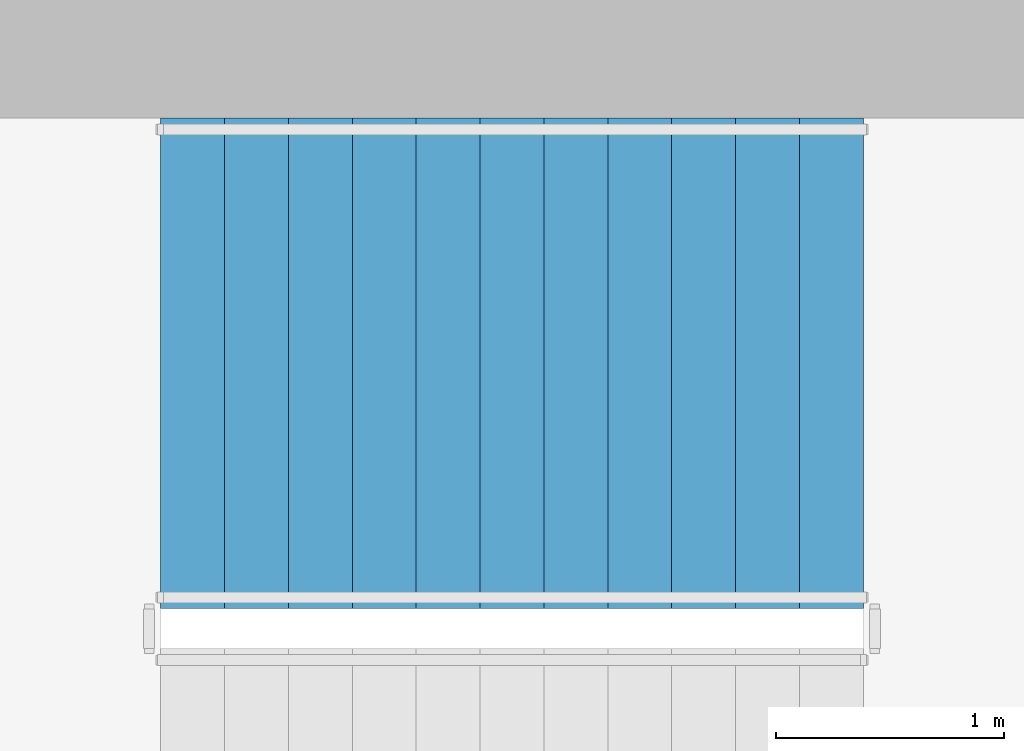
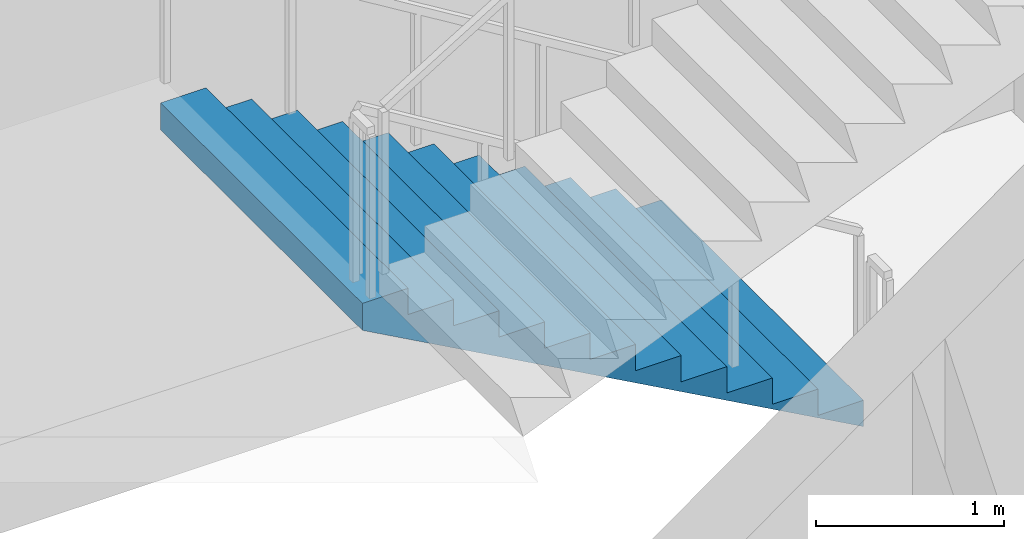
# One storey, part 9 of 14: 1 stair flight, 1 element without a shape of its own.
"""IFC4 building model written with IfcOpenShell, lengths in metres."""

from ifc_helpers import new_model, si_unit, direction, frame, origin, place, context, subcontext, project, spatial, triangles, material, type_object, element, aggregate, save


model = new_model("IFC4")

# Units and contexts
model_context = context("Model", 3, precision=1e-05, world=origin(), true_north=direction((0.0, 1.0)))
body_context = subcontext(model_context, "Body", "Model", "MODEL_VIEW")
ifc_project = project(units=[si_unit("LENGTHUNIT", "METRE"), si_unit("AREAUNIT", "SQUARE_METRE"), si_unit("VOLUMEUNIT", "CUBIC_METRE"), si_unit("PLANEANGLEUNIT", "RADIAN"), si_unit("MASSUNIT", "GRAM", prefix="KILO")], contexts=[model_context])

# Site, building, storey
site_placement = place(None, origin())
site = spatial("IfcSite", under=ifc_project, at=site_placement, CompositionType="ELEMENT")
building_placement = place(site_placement, origin())
building = spatial("IfcBuilding", under=site, at=building_placement, Name="Cypress Arch Tower", CompositionType="ELEMENT")
storey_placement = place(building_placement, frame((0.0, 0.0, 268.0)))
storey = spatial("IfcBuildingStorey", under=building, at=storey_placement, Name="L60", CompositionType="ELEMENT", Elevation=268.0)

# Stair, stair flight
ifc_material_1 = material(Name="Concrete C40/50", Category="concrete")
stair_type = type_object("IfcStairType", Name="Exit stair ES1708-215", PredefinedType="HALF_TURN_STAIR", material=ifc_material_1)
stair_placement = place(storey_placement, origin())
stair = element("IfcStair", 1, at=stair_placement, inside=storey, type_object=stair_type, Name="L60 Exit stair B", PredefinedType="HALF_TURN_STAIR")
ifc_material_2 = material(Name="Concrete C40/50", Category="concrete")
stair_flight_type = type_object("IfcStairFlightType", Name="Exit stair flight ES1708-215", PredefinedType="STRAIGHT", material=ifc_material_2)
stair_flight_placement = place(storey_placement, frame((-22.27490234375, 13.72509765625, 0.0), z_axis=(0.0, 0.0, 1.0), x_axis=(-1.0, 0.0, 0.0)))
stair_flight = element("IfcStairFlight", 2, at=stair_flight_placement, type_object=stair_flight_type, Name="B flight 1", NumberOfRisers=12, NumberOfTreads=11, PredefinedType="STRAIGHT", RiserHeight=0.170833333, TreadLength=0.28, context=body_context, shape_type="Tessellation", body=[
    triangles([(0.0, -1.074951171875, 0.0), (0.000244140625, -1.074951171875, 0.01904296875), (0.000244140625, -1.074951171875, 0.0380859375), (0.00048828125, -1.074951171875, 0.056884765625), (0.00048828125, -1.074951171875, 0.075927734375), (0.00048828125, -1.074951171875, 0.094970703125), (0.00048828125, -1.074951171875, 0.114013671875), (0.000244140625, -1.074951171875, 0.1328125), (0.000244140625, -1.074951171875, 0.15185546875), (0.0, -1.074951171875, 0.1708984375), (0.280029296875, -1.074951171875, 0.1708984375), (0.280029296875, -1.074951171875, 0.341552734375), (0.56005859375, -1.074951171875, 0.341552734375), (0.56005859375, -1.074951171875, 0.512451171875), (0.840087890625, -1.074951171875, 0.512451171875), (0.840087890625, -1.074951171875, 0.683349609375), (1.1201171875, -1.074951171875, 0.683349609375), (1.1201171875, -1.074951171875, 0.854248046875), (1.39990234375, -1.074951171875, 0.854248046875), (1.39990234375, -1.074951171875, 1.02490234375), (1.679931640625, -1.074951171875, 1.02490234375), (1.679931640625, -1.074951171875, 1.19580078125), (1.9599609375, -1.074951171875, 1.19580078125), (1.9599609375, -1.074951171875, 1.36669921875), (2.239990234375, -1.074951171875, 1.36669921875), (2.239990234375, -1.074951171875, 1.53759765625), (2.52001953125, -1.074951171875, 1.53759765625), (2.52001953125, -1.074951171875, 1.708251953125), (2.800048828125, -1.074951171875, 1.708251953125), (2.800048828125, -1.074951171875, 1.879150390625), (3.080078125, -1.074951171875, 1.879150390625), (3.079833984375, -1.074951171875, 1.859619140625), (3.079833984375, -1.074951171875, 1.840087890625), (3.07958984375, -1.074951171875, 1.820556640625), (3.07958984375, -1.074951171875, 1.801025390625), (3.07958984375, -1.074951171875, 1.78173828125), (3.07958984375, -1.074951171875, 1.76220703125), (3.079833984375, -1.074951171875, 1.74267578125), (3.079833984375, -1.074951171875, 1.72314453125), (3.080078125, -1.074951171875, 1.70361328125), (3.080078125, 1.074951171875, 1.70361328125), (3.079833984375, 1.074951171875, 1.72314453125), (3.079833984375, 1.074951171875, 1.74267578125), (3.07958984375, 1.074951171875, 1.76220703125), (3.07958984375, 1.074951171875, 1.78173828125), (3.07958984375, 1.074951171875, 1.801025390625), (3.07958984375, 1.074951171875, 1.820556640625), (3.079833984375, 1.074951171875, 1.840087890625), (3.079833984375, 1.074951171875, 1.859619140625), (3.080078125, 1.074951171875, 1.879150390625), (2.800048828125, 1.074951171875, 1.879150390625), (2.800048828125, 1.074951171875, 1.708251953125), (2.52001953125, 1.074951171875, 1.708251953125), (2.52001953125, 1.074951171875, 1.53759765625), (2.239990234375, 1.074951171875, 1.53759765625), (2.239990234375, 1.074951171875, 1.36669921875), (1.9599609375, 1.074951171875, 1.36669921875), (1.9599609375, 1.074951171875, 1.19580078125), (1.679931640625, 1.074951171875, 1.19580078125), (1.679931640625, 1.074951171875, 1.02490234375), (1.39990234375, 1.074951171875, 1.02490234375), (1.39990234375, 1.074951171875, 0.854248046875), (1.1201171875, 1.074951171875, 0.854248046875), (1.1201171875, 1.074951171875, 0.683349609375), (0.840087890625, 1.074951171875, 0.683349609375), (0.840087890625, 1.074951171875, 0.512451171875), (0.56005859375, 1.074951171875, 0.512451171875), (0.56005859375, 1.074951171875, 0.341552734375), (0.280029296875, 1.074951171875, 0.341552734375), (0.280029296875, 1.074951171875, 0.1708984375), (0.0, 1.074951171875, 0.1708984375), (0.000244140625, 1.074951171875, 0.15185546875), (0.000244140625, 1.074951171875, 0.1328125), (0.00048828125, 1.074951171875, 0.114013671875), (0.00048828125, 1.074951171875, 0.094970703125), (0.00048828125, 1.074951171875, 0.075927734375), (0.00048828125, 1.074951171875, 0.056884765625), (0.000244140625, 1.074951171875, 0.0380859375), (0.000244140625, 1.074951171875, 0.01904296875), (0.0, 1.074951171875, 0.0)], [[40, 39, 30], [39, 38, 30], [38, 37, 30], [37, 36, 30], [36, 35, 30], [35, 34, 30], [34, 33, 30], [33, 32, 30], [32, 31, 30], [19, 18, 17], [27, 26, 25], [25, 24, 23], [23, 22, 21], [17, 16, 15], [15, 14, 13], [10, 9, 11], [9, 8, 11], [8, 7, 11], [7, 6, 11], [6, 5, 11], [5, 4, 11], [4, 3, 11], [3, 2, 11], [2, 1, 11], [29, 28, 27], [21, 20, 19], [13, 12, 11], [40, 30, 29], [40, 29, 27], [40, 27, 25], [40, 25, 23], [40, 23, 21], [40, 21, 19], [40, 19, 17], [40, 17, 15], [40, 15, 13], [1, 40, 13], [13, 11, 1], [41, 51, 42], [42, 51, 43], [43, 51, 44], [44, 51, 45], [45, 51, 46], [46, 51, 47], [47, 51, 48], [48, 51, 49], [49, 51, 50], [62, 64, 63], [54, 56, 55], [56, 58, 57], [58, 60, 59], [64, 66, 65], [66, 68, 67], [71, 70, 72], [72, 70, 73], [73, 70, 74], [74, 70, 75], [75, 70, 76], [76, 70, 77], [77, 70, 78], [78, 70, 79], [79, 70, 80], [52, 54, 53], [60, 62, 61], [68, 70, 69], [41, 52, 51], [41, 54, 52], [41, 56, 54], [41, 58, 56], [41, 60, 58], [41, 62, 60], [41, 64, 62], [41, 66, 64], [41, 68, 66], [80, 68, 41], [68, 80, 70], [41, 42, 39], [41, 39, 40], [42, 43, 38], [42, 38, 39], [43, 44, 37], [43, 37, 38], [44, 45, 36], [44, 36, 37], [45, 46, 35], [45, 35, 36], [46, 47, 34], [46, 34, 35], [47, 48, 33], [47, 33, 34], [48, 49, 32], [48, 32, 33], [49, 50, 31], [49, 31, 32], [50, 51, 30], [50, 30, 31], [51, 52, 29], [51, 29, 30], [52, 53, 28], [52, 28, 29], [53, 54, 27], [53, 27, 28], [54, 55, 26], [54, 26, 27], [55, 56, 25], [55, 25, 26], [56, 57, 24], [56, 24, 25], [57, 58, 23], [57, 23, 24], [58, 59, 22], [58, 22, 23], [59, 60, 21], [59, 21, 22], [60, 61, 20], [60, 20, 21], [61, 62, 19], [61, 19, 20], [62, 63, 18], [62, 18, 19], [63, 64, 17], [63, 17, 18], [64, 65, 16], [64, 16, 17], [65, 66, 15], [65, 15, 16], [66, 67, 14], [66, 14, 15], [67, 68, 13], [67, 13, 14], [68, 69, 12], [68, 12, 13], [69, 70, 11], [69, 11, 12], [70, 71, 10], [70, 10, 11], [71, 72, 9], [71, 9, 10], [72, 73, 8], [72, 8, 9], [73, 74, 7], [73, 7, 8], [74, 75, 6], [74, 6, 7], [75, 76, 5], [75, 5, 6], [76, 77, 4], [76, 4, 5], [77, 78, 3], [77, 3, 4], [78, 79, 2], [78, 2, 3], [79, 80, 1], [79, 1, 2], [80, 41, 40], [80, 40, 1]], closed=True),
])
aggregate(stair, [stair_flight])

save(model, "model.ifc")
